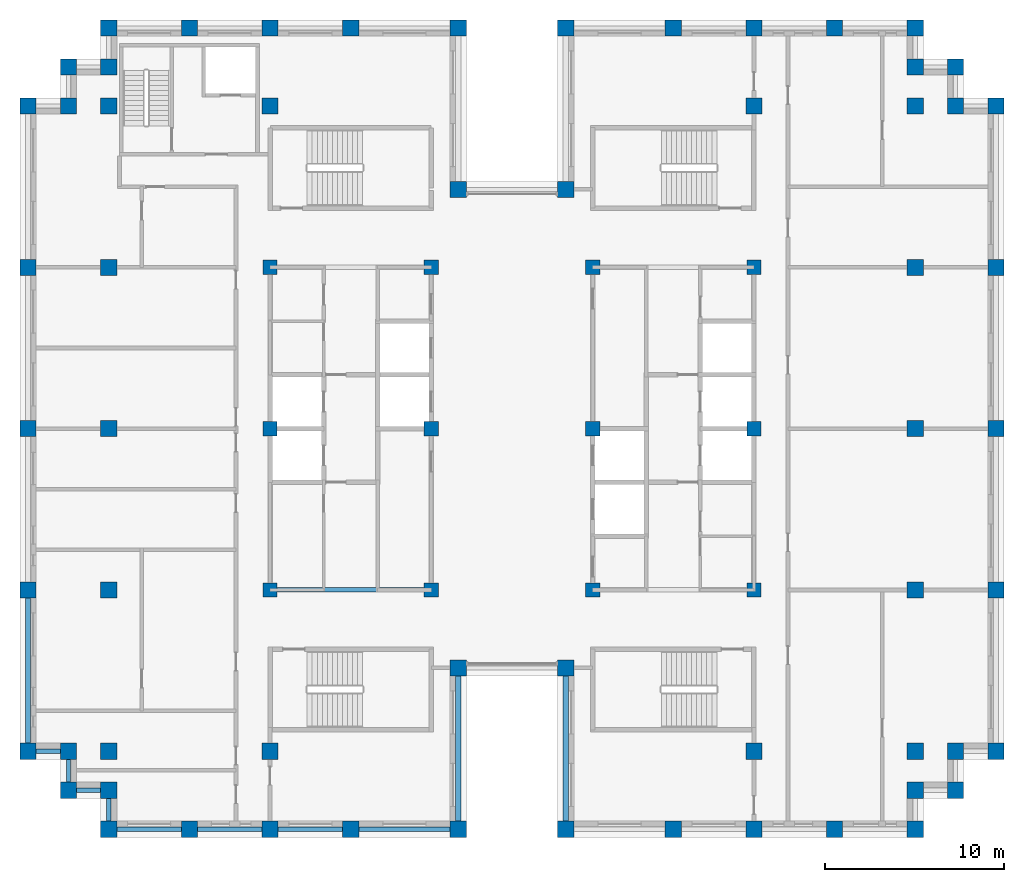
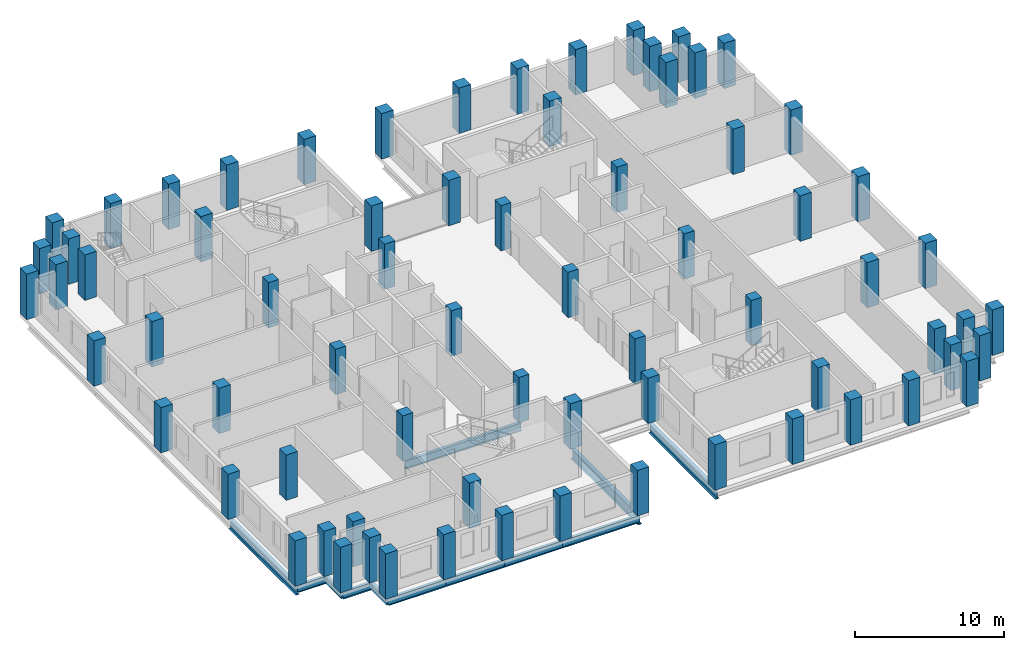
# One storey, part 1 of 13: 72 columns, 12 beams.
"""IFC4 building model written with IfcOpenShell, lengths in metres."""

from ifc_helpers import new_model, si_unit, direction, frame, origin, origin_2d, place, context, subcontext, project, spatial, rectangle, i_section, extrude, material, material_profile, profile_set, type_object, element, save


model = new_model("IFC4")

# Units and contexts
model_context = context("Model", 3, precision=1e-05, world=origin(), true_north=direction((0.0, 1.0)))
body_context = subcontext(model_context, "Body", "Model", "MODEL_VIEW")
ifc_project = project(units=[si_unit("LENGTHUNIT", "METRE"), si_unit("AREAUNIT", "SQUARE_METRE"), si_unit("VOLUMEUNIT", "CUBIC_METRE"), si_unit("PLANEANGLEUNIT", "RADIAN"), si_unit("MASSUNIT", "GRAM", prefix="KILO")], contexts=[model_context])

# Site, building, storey
site_placement = place(None, origin())
site = spatial("IfcSite", under=ifc_project, at=site_placement, CompositionType="ELEMENT")
building_placement = place(site_placement, origin())
building = spatial("IfcBuilding", under=site, at=building_placement, Name="Corbelhall Arena Tower", CompositionType="ELEMENT")
storey_placement = place(building_placement, frame((0.0, 0.0, 278.0)))
storey = spatial("IfcBuildingStorey", under=building, at=storey_placement, Name="L60", CompositionType="ELEMENT", Elevation=278.0)

# Columns
ifc_material_1 = material(Name="Concrete C80/95", Category="concrete")
ifc_material_profile_1 = material_profile(ifc_material_1, rectangle(XDim=0.800048828125, YDim=0.800048828125, at=origin_2d()))
ifc_profile_set_1 = profile_set([ifc_material_profile_1], Name="Concrete C80/95")
column_type_1 = type_object("IfcColumnType", Name="ST-COL-RC 800x800", PredefinedType="COLUMN", material=ifc_profile_set_1)
for number, where, z_axis, x_axis, name in (
    (1, (4.5, 0.0, 0.0), (0.0, 0.0, 1.0), (1.0, 0.0, 0.0), "Column KE+0450+0000"),
    (2, (4.5, 9.0, 0.0), (0.0, 0.0, 1.0), (1.0, 0.0, 0.0), "Column KE+0450+0900"),
    (3, (4.5, -9.0, 0.0), (0.0, 0.0, 1.0), (1.0, 0.0, 0.0), "Column KE+0450-0900"),
    (4, (13.5, 0.0, 0.0), (0.0, 0.0, 1.0), (1.0, 0.0, 0.0), "Column KE+1350+0000"),
    (5, (13.5, 9.0, 0.0), (0.0, 0.0, 1.0), (1.0, 0.0, 0.0), "Column KE+1350+0900"),
    (6, (13.5, -9.0, 0.0), (0.0, 0.0, 1.0), (1.0, 0.0, 0.0), "Column KE+1350-0900"),
    (7, (-4.5, 0.0, 0.0), (0.0, 0.0, 1.0), (1.0, 0.0, 0.0), "Column KW-0450+0000"),
    (8, (-4.5, 9.0, 0.0), (0.0, 0.0, 1.0), (1.0, 0.0, 0.0), "Column KW-0450+0900"),
    (9, (-4.5, -9.0, 0.0), (0.0, 0.0, 1.0), (1.0, 0.0, 0.0), "Column KW-0450-0900"),
    (10, (-13.5, 0.0, 0.0), (0.0, 0.0, 1.0), (1.0, 0.0, 0.0), "Column KW-1350+0000"),
    (11, (-13.5, 9.0, 0.0), (0.0, 0.0, 1.0), (1.0, 0.0, 0.0), "Column KW-1350+0900"),
    (12, (-13.5, -9.0, 0.0), (0.0, 0.0, 1.0), (1.0, 0.0, 0.0), "Column KW-1350-0900"),
):
    element("IfcColumn", number, at=place(storey_placement, frame(where, z_axis=z_axis, x_axis=x_axis)), inside=storey, type_object=column_type_1, Name=name, PredefinedType="COLUMN", context=body_context, shape_type="SweptSolid", body=[
        extrude(rectangle(XDim=0.800048828125, YDim=0.800048828125, at=origin_2d()), origin(), (0.0, 0.0, 1.0), 3.719970703125),
    ])
ifc_material_profile_2 = material_profile(ifc_material_1, rectangle(XDim=0.89990234375, YDim=0.89990234375, at=origin_2d()))
ifc_profile_set_2 = profile_set([ifc_material_profile_2], Name="Concrete C80/95")
column_type_2 = type_object("IfcColumnType", Name="ST-COL-RC 900x900", PredefinedType="COLUMN", material=ifc_profile_set_2)
for number, where, z_axis, x_axis, name in (
    (13, (13.5, 18.0, 0.0), (0.0, 0.0, 1.0), (1.0, 0.0, 0.0), "Column IE13+1800"),
    (14, (13.5, -18.0, 0.0), (0.0, 0.0, 1.0), (1.0, 0.0, 0.0), "Column IE13-1800"),
    (15, (22.5, 0.0, 0.0), (0.0, 0.0, 1.0), (1.0, 0.0, 0.0), "Column IE22+0000"),
    (16, (22.5, 9.0, 0.0), (0.0, 0.0, 1.0), (1.0, 0.0, 0.0), "Column IE22+0900"),
    (17, (22.5, 18.0, 0.0), (0.0, 0.0, 1.0), (1.0, 0.0, 0.0), "Column IE22+1800"),
    (18, (22.5, -9.0, 0.0), (0.0, 0.0, 1.0), (1.0, 0.0, 0.0), "Column IE22-0900"),
    (19, (22.5, -18.0, 0.0), (0.0, 0.0, 1.0), (1.0, 0.0, 0.0), "Column IE22-1800"),
    (20, (-13.5, 18.0, 0.0), (0.0, 0.0, 1.0), (1.0, 0.0, 0.0), "Column IW13+1800"),
    (21, (-13.5, -18.0, 0.0), (0.0, 0.0, 1.0), (1.0, 0.0, 0.0), "Column IW13-1800"),
    (22, (-22.5, 0.0, 0.0), (0.0, 0.0, 1.0), (1.0, 0.0, 0.0), "Column IW22+0000"),
    (23, (-22.5, 9.0, 0.0), (0.0, 0.0, 1.0), (1.0, 0.0, 0.0), "Column IW22+0900"),
    (24, (-22.5, 18.0, 0.0), (0.0, 0.0, 1.0), (1.0, 0.0, 0.0), "Column IW22+1800"),
    (25, (-22.5, -9.0, 0.0), (0.0, 0.0, 1.0), (1.0, 0.0, 0.0), "Column IW22-0900"),
    (26, (-22.5, -18.0, 0.0), (0.0, 0.0, 1.0), (1.0, 0.0, 0.0), "Column IW22-1800"),
    (27, (27.0, 0.0, 0.0), (0.0, 0.0, 1.0), (0.0, 1.0, 0.0), "Column PE+0000"),
    (28, (27.0, 9.0, 0.0), (0.0, 0.0, 1.0), (0.0, 1.0, 0.0), "Column PE+0900"),
    (29, (27.0, 18.0, 0.0), (0.0, 0.0, 1.0), (0.0, 1.0, 0.0), "Column PE+1800"),
    (30, (27.0, -9.0, 0.0), (0.0, 0.0, 1.0), (0.0, 1.0, 0.0), "Column PE-0900"),
    (31, (27.0, -18.0, 0.0), (0.0, 0.0, 1.0), (0.0, 1.0, 0.0), "Column PE-1800"),
    (32, (3.0, 22.35009765625, 0.0), (0.0, 0.0, 1.0), (1.0, 0.0, 0.0), "Column PNE0300"),
    (33, (9.0, 22.35009765625, 0.0), (0.0, 0.0, 1.0), (1.0, 0.0, 0.0), "Column PNE0900"),
    (34, (13.5, 22.35009765625, 0.0), (0.0, 0.0, 1.0), (1.0, 0.0, 0.0), "Column PNE1350"),
    (35, (18.0, 22.35009765625, 0.0), (0.0, 0.0, 1.0), (1.0, 0.0, 0.0), "Column PNE1800"),
    (36, (22.5, 22.35009765625, 0.0), (0.0, 0.0, 1.0), (1.0, 0.0, 0.0), "Column PNE2250"),
    (37, (-3.0, 22.35009765625, 0.0), (0.0, 0.0, 1.0), (1.0, 0.0, 0.0), "Column PNW0300"),
    (38, (-9.0, 22.35009765625, 0.0), (0.0, 0.0, 1.0), (1.0, 0.0, 0.0), "Column PNW0900"),
    (39, (-13.5, 22.35009765625, 0.0), (0.0, 0.0, 1.0), (1.0, 0.0, 0.0), "Column PNW1350"),
    (40, (-18.0, 22.35009765625, 0.0), (0.0, 0.0, 1.0), (1.0, 0.0, 0.0), "Column PNW1800"),
    (41, (-22.5, 22.35009765625, 0.0), (0.0, 0.0, 1.0), (1.0, 0.0, 0.0), "Column PNW2250"),
    (42, (3.0, -22.35009765625, 0.0), (0.0, 0.0, 1.0), (1.0, 0.0, 0.0), "Column PSE0300"),
    (43, (9.0, -22.35009765625, 0.0), (0.0, 0.0, 1.0), (1.0, 0.0, 0.0), "Column PSE0900"),
    (44, (13.5, -22.35009765625, 0.0), (0.0, 0.0, 1.0), (1.0, 0.0, 0.0), "Column PSE1350"),
    (45, (18.0, -22.35009765625, 0.0), (0.0, 0.0, 1.0), (1.0, 0.0, 0.0), "Column PSE1800"),
    (46, (22.5, -22.35009765625, 0.0), (0.0, 0.0, 1.0), (1.0, 0.0, 0.0), "Column PSE2250"),
    (47, (-3.0, -22.35009765625, 0.0), (0.0, 0.0, 1.0), (1.0, 0.0, 0.0), "Column PSW0300"),
    (48, (-9.0, -22.35009765625, 0.0), (0.0, 0.0, 1.0), (1.0, 0.0, 0.0), "Column PSW0900"),
    (49, (-13.5, -22.35009765625, 0.0), (0.0, 0.0, 1.0), (1.0, 0.0, 0.0), "Column PSW1350"),
    (50, (-18.0, -22.35009765625, 0.0), (0.0, 0.0, 1.0), (1.0, 0.0, 0.0), "Column PSW1800"),
    (51, (-22.5, -22.35009765625, 0.0), (0.0, 0.0, 1.0), (1.0, 0.0, 0.0), "Column PSW2250"),
    (52, (-27.0, 0.0, 0.0), (0.0, 0.0, 1.0), (0.0, 1.0, 0.0), "Column PW+0000"),
    (53, (-27.0, 9.0, 0.0), (0.0, 0.0, 1.0), (0.0, 1.0, 0.0), "Column PW+0900"),
    (54, (-27.0, 18.0, 0.0), (0.0, 0.0, 1.0), (0.0, 1.0, 0.0), "Column PW+1800"),
    (55, (-27.0, -9.0, 0.0), (0.0, 0.0, 1.0), (0.0, 1.0, 0.0), "Column PW-0900"),
    (56, (-27.0, -18.0, 0.0), (0.0, 0.0, 1.0), (0.0, 1.0, 0.0), "Column PW-1800"),
    (57, (3.0, 13.35009765625, 0.0), (0.0, 0.0, 1.0), (1.0, 0.0, 0.0), "Column SLNE2"),
    (58, (-3.0, 13.35009765625, 0.0), (0.0, 0.0, 1.0), (1.0, 0.0, 0.0), "Column SLNW2"),
    (59, (3.0, -13.35009765625, 0.0), (0.0, 0.0, 1.0), (1.0, 0.0, 0.0), "Column SLSE2"),
    (60, (-3.0, -13.35009765625, 0.0), (0.0, 0.0, 1.0), (1.0, 0.0, 0.0), "Column SLSW2"),
    (61, (22.5, 20.175048828125, 0.0), (0.0, 0.0, 1.0), (1.0, 0.0, 0.0), "Column XNE1"),
    (62, (24.75, 20.175048828125, 0.0), (0.0, 0.0, 1.0), (1.0, 0.0, 0.0), "Column XNE2"),
    (63, (24.75, 18.0, 0.0), (0.0, 0.0, 1.0), (1.0, 0.0, 0.0), "Column XNE3"),
    (64, (-22.5, 20.175048828125, 0.0), (0.0, 0.0, 1.0), (1.0, 0.0, 0.0), "Column XNW1"),
    (65, (-24.75, 20.175048828125, 0.0), (0.0, 0.0, 1.0), (1.0, 0.0, 0.0), "Column XNW2"),
    (66, (-24.75, 18.0, 0.0), (0.0, 0.0, 1.0), (1.0, 0.0, 0.0), "Column XNW3"),
    (67, (22.5, -20.175048828125, 0.0), (0.0, 0.0, 1.0), (1.0, 0.0, 0.0), "Column XSE1"),
    (68, (24.75, -20.175048828125, 0.0), (0.0, 0.0, 1.0), (1.0, 0.0, 0.0), "Column XSE2"),
    (69, (24.75, -18.0, 0.0), (0.0, 0.0, 1.0), (1.0, 0.0, 0.0), "Column XSE3"),
    (70, (-22.5, -20.175048828125, 0.0), (0.0, 0.0, 1.0), (1.0, 0.0, 0.0), "Column XSW1"),
    (71, (-24.75, -20.175048828125, 0.0), (0.0, 0.0, 1.0), (1.0, 0.0, 0.0), "Column XSW2"),
    (72, (-24.75, -18.0, 0.0), (0.0, 0.0, 1.0), (1.0, 0.0, 0.0), "Column XSW3"),
):
    element("IfcColumn", number, at=place(storey_placement, frame(where, z_axis=z_axis, x_axis=x_axis)), inside=storey, type_object=column_type_2, Name=name, PredefinedType="COLUMN", context=body_context, shape_type="SweptSolid", body=[
        extrude(rectangle(XDim=0.89990234375, YDim=0.89990234375, at=origin_2d()), origin(), (0.0, 0.0, 1.0), 3.719970703125),
    ])

# Beams
ifc_material_2 = material(Name="Steel ASTM A992 Gr50", Category="steel")
ifc_material_profile_3 = material_profile(ifc_material_2, i_section(OverallWidth=0.25390625, OverallDepth=0.67822265625, WebThickness=0.01171875, FlangeThickness=0.016357421875, at=origin_2d()))
ifc_profile_set_3 = profile_set([ifc_material_profile_3], Name="Steel ASTM A992 Gr50")
beam_type_1 = type_object("IfcBeamType", Name="ST-BEAM-W27x84", PredefinedType="BEAM", material=ifc_profile_set_3)
beam_1_placement = place(storey_placement, frame((-13.5, -9.0, -0.619140625), z_axis=(1.0, 0.0, 0.0), x_axis=(0.0, 1.0, 0.0)))
element("IfcBeam", 73, at=beam_1_placement, inside=storey, type_object=beam_type_1, Name="Beam CEW 5", PredefinedType="BEAM", context=body_context, shape_type="SweptSolid", body=[
    extrude(i_section(OverallWidth=0.25390625, OverallDepth=0.67822265625, WebThickness=0.01171875, FlangeThickness=0.016357421875, at=origin_2d()), origin(), (0.0, 0.0, 1.0), 9.0),
])
ifc_material_profile_4 = material_profile(ifc_material_2, i_section(OverallWidth=0.227783203125, OverallDepth=0.60205078125, WebThickness=0.010498046875, FlangeThickness=0.014892578125, at=origin_2d()))
ifc_profile_set_4 = profile_set([ifc_material_profile_4], Name="Steel ASTM A992 Gr50")
beam_type_2 = type_object("IfcBeamType", Name="ST-SPANDREL-W24x68", PredefinedType="SPANDREL", material=ifc_profile_set_4)
beam_2_placement = place(storey_placement, frame((-3.0, -22.35009765625, -0.5810546875), z_axis=(-1.0, 0.0, 0.0), x_axis=(0.0, -1.0, 0.0)))
element("IfcBeam", 74, at=beam_2_placement, inside=storey, type_object=beam_type_2, Name="Beam SP 21", PredefinedType="SPANDREL", context=body_context, shape_type="SweptSolid", body=[
    extrude(i_section(OverallWidth=0.227783203125, OverallDepth=0.60205078125, WebThickness=0.010498046875, FlangeThickness=0.014892578125, at=origin_2d()), origin(), (0.0, 0.0, 1.0), 6.0),
])
for number, where, z_axis, x_axis, name in (
    (75, (-9.0, -22.35009765625, -0.5810546875), (-1.0, 0.0, 0.0), (0.0, -1.0, 0.0), "Beam SP 22"),
    (76, (-13.5, -22.35009765625, -0.5810546875), (-1.0, 0.0, 0.0), (0.0, -1.0, 0.0), "Beam SP 23"),
    (77, (-18.0, -22.35009765625, -0.5810546875), (-1.0, 0.0, 0.0), (0.0, -1.0, 0.0), "Beam SP 24"),
):
    element("IfcBeam", number, at=place(storey_placement, frame(where, z_axis=z_axis, x_axis=x_axis)), inside=storey, type_object=beam_type_2, Name=name, PredefinedType="SPANDREL", context=body_context, shape_type="SweptSolid", body=[
        extrude(i_section(OverallWidth=0.227783203125, OverallDepth=0.60205078125, WebThickness=0.010498046875, FlangeThickness=0.014892578125, at=origin_2d()), origin(), (0.0, 0.0, 1.0), 4.5),
    ])
beam_3_placement = place(storey_placement, frame((-22.5, -22.35009765625, -0.5810546875), z_axis=(0.0, 1.0, 0.0), x_axis=(-1.0, 0.0, 0.0)))
element("IfcBeam", 78, at=beam_3_placement, inside=storey, type_object=beam_type_2, Name="Beam SP 25", PredefinedType="SPANDREL", context=body_context, shape_type="SweptSolid", body=[
    extrude(i_section(OverallWidth=0.227783203125, OverallDepth=0.60205078125, WebThickness=0.010498046875, FlangeThickness=0.014892578125, at=origin_2d()), origin(), (0.0, 0.0, 1.0), 2.175048828125),
])
beam_4_placement = place(storey_placement, frame((-22.5, -20.175048828125, -0.5810546875), z_axis=(-1.0, 0.0, 0.0), x_axis=(0.0, -1.0, 0.0)))
element("IfcBeam", 79, at=beam_4_placement, inside=storey, type_object=beam_type_2, Name="Beam SP 44", PredefinedType="SPANDREL", context=body_context, shape_type="SweptSolid", body=[
    extrude(i_section(OverallWidth=0.227783203125, OverallDepth=0.60205078125, WebThickness=0.010498046875, FlangeThickness=0.014892578125, at=origin_2d()), origin(), (0.0, 0.0, 1.0), 2.25),
])
beam_5_placement = place(storey_placement, frame((-24.75, -20.175048828125, -0.5810546875), z_axis=(0.0, 1.0, 0.0), x_axis=(-1.0, 0.0, 0.0)))
element("IfcBeam", 80, at=beam_5_placement, inside=storey, type_object=beam_type_2, Name="Beam SP 45", PredefinedType="SPANDREL", context=body_context, shape_type="SweptSolid", body=[
    extrude(i_section(OverallWidth=0.227783203125, OverallDepth=0.60205078125, WebThickness=0.010498046875, FlangeThickness=0.014892578125, at=origin_2d()), origin(), (0.0, 0.0, 1.0), 2.175048828125),
])
beam_6_placement = place(storey_placement, frame((-24.75, -18.0, -0.5810546875), z_axis=(-1.0, 0.0, 0.0), x_axis=(0.0, -1.0, 0.0)))
element("IfcBeam", 81, at=beam_6_placement, inside=storey, type_object=beam_type_2, Name="Beam SP 46", PredefinedType="SPANDREL", context=body_context, shape_type="SweptSolid", body=[
    extrude(i_section(OverallWidth=0.227783203125, OverallDepth=0.60205078125, WebThickness=0.010498046875, FlangeThickness=0.014892578125, at=origin_2d()), origin(), (0.0, 0.0, 1.0), 2.25),
])
ifc_material_profile_5 = material_profile(ifc_material_2, i_section(OverallWidth=0.2919921875, OverallDepth=0.845703125, WebThickness=0.015380859375, FlangeThickness=0.0244140625, at=origin_2d()))
ifc_profile_set_5 = profile_set([ifc_material_profile_5], Name="Steel ASTM A992 Gr50")
beam_type_3 = type_object("IfcBeamType", Name="ST-SPANDREL-W33x141", PredefinedType="SPANDREL", material=ifc_profile_set_5)
for number, where, z_axis, x_axis, name in (
    (82, (3.0, -22.35009765625, -0.702880859375), (0.0, 1.0, 0.0), (-1.0, 0.0, 0.0), "Beam SP 16"),
    (83, (-27.0, -18.0, -0.702880859375), (0.0, 1.0, 0.0), (-1.0, 0.0, 0.0), "Beam SP 30"),
    (84, (-3.0, -13.35009765625, -0.702880859375), (0.0, -1.0, 0.0), (1.0, 0.0, 0.0), "Beam SP 34"),
):
    element("IfcBeam", number, at=place(storey_placement, frame(where, z_axis=z_axis, x_axis=x_axis)), inside=storey, type_object=beam_type_3, Name=name, PredefinedType="SPANDREL", context=body_context, shape_type="SweptSolid", body=[
        extrude(i_section(OverallWidth=0.2919921875, OverallDepth=0.845703125, WebThickness=0.015380859375, FlangeThickness=0.0244140625, at=origin_2d()), origin(), (0.0, 0.0, 1.0), 9.0),
    ])

save(model, "model.ifc")
